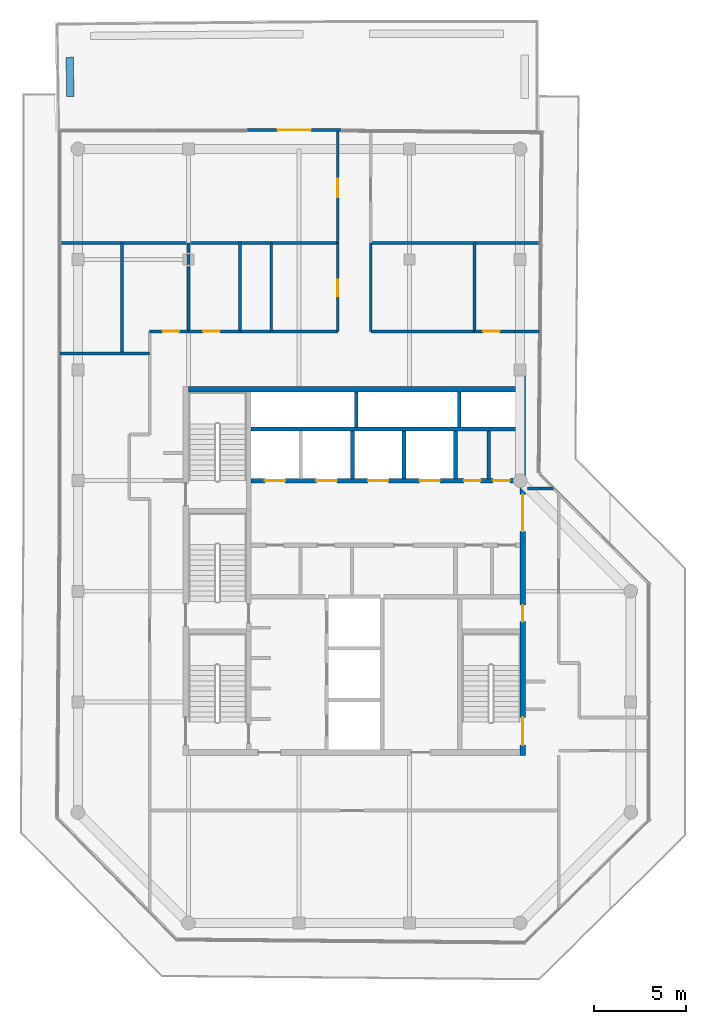
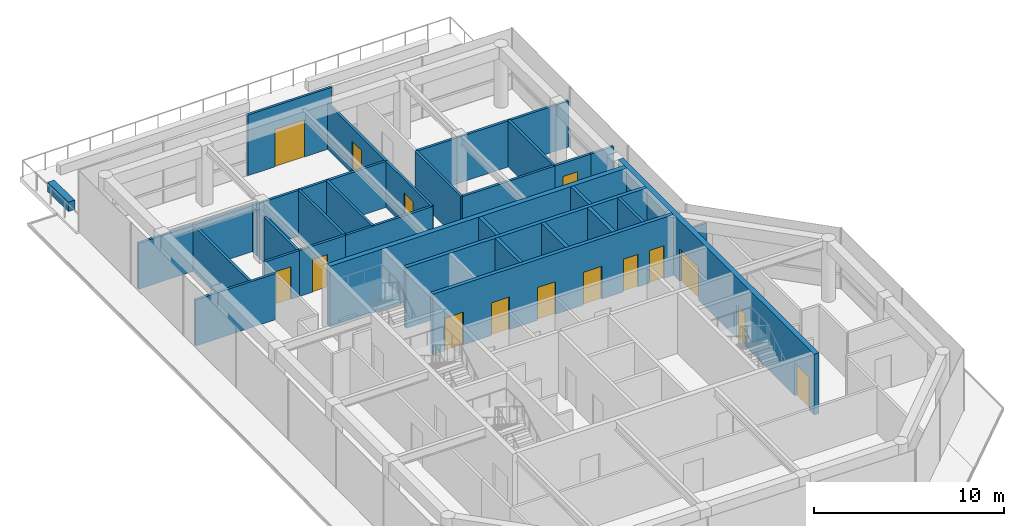
# One storey, part 14 of 17: 32 walls, 15 doors, 15 openings.
"""IFC4 building model written with IfcOpenShell, lengths in metres."""

from ifc_helpers import new_model, si_unit, direction, frame, frame_2d, origin, place, context, subcontext, project, spatial, rectangle, extrude, material, layer, layer_set, type_object, element, fill, save


model = new_model("IFC4")

# Units and contexts
model_context = context("Model", 3, precision=1e-05, world=origin(), true_north=direction((0.0, 1.0)))
body_context = subcontext(model_context, "Body", "Model", "MODEL_VIEW")
ifc_project = project(units=[si_unit("LENGTHUNIT", "METRE"), si_unit("AREAUNIT", "SQUARE_METRE"), si_unit("VOLUMEUNIT", "CUBIC_METRE"), si_unit("PLANEANGLEUNIT", "RADIAN"), si_unit("MASSUNIT", "GRAM", prefix="KILO")], contexts=[model_context])

# Site, building, storey
site_placement = place(None, origin())
site = spatial("IfcSite", under=ifc_project, at=site_placement, CompositionType="ELEMENT")
building_placement = place(site_placement, origin())
building = spatial("IfcBuilding", under=site, at=building_placement, Name="Welwitschia Terrace Campus", CompositionType="ELEMENT")
storey_placement = place(building_placement, frame((0.0, 0.0, 335.60009765625)))
storey = spatial("IfcBuildingStorey", under=building, at=storey_placement, Name="L75", CompositionType="ELEMENT", Elevation=335.60009765625)

# Wall, opening, door
ifc_material_1 = material(Name="Concrete C40/50", Category="concrete")
ifc_layer_1 = layer(ifc_material_1, 0.139892578125)
ifc_layer_set_1 = layer_set([ifc_layer_1], Name="Concrete C40/50")
wall_type_1 = type_object("IfcWallType", Name="Clad wall 140", PredefinedType="SOLIDWALL", material=ifc_layer_set_1)
wall_1_placement = place(storey_placement, frame((14.296875, 39.030029296875, 0.0), z_axis=(0.0, 0.0, 1.0), x_axis=(-1.0, 0.0, 0.0)))
wall_1 = element("IfcWall", 1, at=wall_1_placement, inside=storey, type_object=wall_type_1, Name="Clad wall L75.terrace door 0", PredefinedType="SOLIDWALL", context=body_context, shape_type="SweptSolid", body=[
    extrude(rectangle(XDim=5.109130859375, YDim=0.139892578125, at=frame_2d((2.5546875, 0.0))), origin(), (0.0, 0.0, 1.0), 3.89990234375),
])
opening_1_placement = place(wall_1_placement, frame((1.654541015625, 0.0, 0.0)))
opening_1 = element("IfcOpeningElement", 2, at=opening_1_placement, cuts=wall_1, Name="Opening DE3", PredefinedType="OPENING", context=body_context, shape_type="SweptSolid", body=[
    extrude(rectangle(XDim=1.800048828125, YDim=2.39990234375, at=frame_2d((0.89990234375, 1.199951171875))), frame((0.0, 0.079833984375, 0.0), z_axis=(0.0, -1.0, 0.0), x_axis=(1.0, 0.0, 0.0)), (0.0, 0.0, 1.0), 0.159912109375),
])
ifc_material_2 = material(Name="Bronze anodised aluminium and glass", Category="aluminium")
door_type_1 = type_object("IfcDoorType", Name="Terrace door 1800x2400", OperationType="DOUBLE_DOOR_DOUBLE_SWING", PredefinedType="DOOR", material=ifc_material_2)
door_1_placement = place(opening_1_placement, origin())
door_1 = element("IfcDoor", 3, at=door_1_placement, inside=storey, type_object=door_type_1, Name="Door L75:T0", OperationType="DOUBLE_DOOR_DOUBLE_SWING", OverallHeight=2.39990234375, OverallWidth=1.800048828125, PredefinedType="DOOR", context=body_context, shape_type="SweptSolid", body=[
    extrude(rectangle(XDim=1.800048828125, YDim=2.39990234375, at=frame_2d((0.89990234375, 1.199951171875))), frame((0.0, 0.02490234375, 0.0), z_axis=(0.0, -1.0, 0.0), x_axis=(1.0, 0.0, 0.0)), (0.0, 0.0, 1.0), 0.050048828125),
])
fill(opening_1, door_1)

# Wall
ifc_material_3 = material(Name="Concrete C32/40", Category="concrete")
ifc_layer_2 = layer(ifc_material_3, 0.175048828125)
ifc_layer_set_2 = layer_set([ifc_layer_2], Name="Concrete C32/40")
wall_type_2 = type_object("IfcWallType", Name="Core partition 175 Concrete C32/40", PredefinedType="PARTITIONING", material=ifc_layer_set_2)
wall_2_placement = place(storey_placement, frame((22.300048828125, 20.10009765625, 0.0), z_axis=(0.0, 0.0, 1.0), x_axis=(0.0, 1.0, 0.0)))
element("IfcWall", 4, at=wall_2_placement, inside=storey, type_object=wall_type_2, Name="Core partition", PredefinedType="PARTITIONING", context=body_context, shape_type="SweptSolid", body=[
    extrude(rectangle(XDim=2.599853515625, YDim=0.175048828125, at=frame_2d((1.2998046875, 0.0))), origin(), (0.0, 0.0, 1.0), 3.89990234375),
])

# Wall, openings, doors
ifc_material_4 = material(Name="Concrete C32/40", Category="concrete")
ifc_layer_3 = layer(ifc_material_4, 0.22509765625)
ifc_layer_set_3 = layer_set([ifc_layer_3], Name="Concrete C32/40")
wall_type_3 = type_object("IfcWallType", Name="Core partition 225 Concrete C32/40", PredefinedType="PARTITIONING", material=ifc_layer_set_3)
wall_3_placement = place(storey_placement, frame((24.0, 20.0, 0.0), z_axis=(0.0, 0.0, 1.0), x_axis=(-1.0, 0.0, 0.0)))
wall_3 = element("IfcWall", 5, at=wall_3_placement, inside=storey, type_object=wall_type_3, Name="Shaft wall", PredefinedType="PARTITIONING", context=body_context, shape_type="SweptSolid", body=[
    extrude(rectangle(XDim=14.60009765625, YDim=0.22509765625, at=frame_2d((7.300048828125, 0.0))), origin(), (0.0, 0.0, 1.0), 3.89990234375),
])
opening_2_placement = place(wall_3_placement, frame((12.75, 0.0, 0.0)))
opening_2 = element("IfcOpeningElement", 6, at=opening_2_placement, cuts=wall_3, Name="Opening LD", PredefinedType="OPENING", context=body_context, shape_type="SweptSolid", body=[
    extrude(rectangle(XDim=1.10009765625, YDim=2.10009765625, at=frame_2d((0.550048828125, 1.050048828125))), frame((0.0, 0.12255859375, 0.0), z_axis=(0.0, -1.0, 0.0), x_axis=(1.0, 0.0, 0.0)), (0.0, 0.0, 1.0), 0.2451171875),
])
opening_3_placement = place(wall_3_placement, frame((9.949951171875, 0.0, 0.0)))
opening_3 = element("IfcOpeningElement", 7, at=opening_3_placement, cuts=wall_3, Name="Opening LD", PredefinedType="OPENING", context=body_context, shape_type="SweptSolid", body=[
    extrude(rectangle(XDim=1.10009765625, YDim=2.10009765625, at=frame_2d((0.550048828125, 1.050048828125))), frame((0.0, 0.12255859375, 0.0), z_axis=(0.0, -1.0, 0.0), x_axis=(1.0, 0.0, 0.0)), (0.0, 0.0, 1.0), 0.2451171875),
])
opening_4_placement = place(wall_3_placement, frame((7.14990234375, 0.0, 0.0)))
opening_4 = element("IfcOpeningElement", 8, at=opening_4_placement, cuts=wall_3, Name="Opening LD", PredefinedType="OPENING", context=body_context, shape_type="SweptSolid", body=[
    extrude(rectangle(XDim=1.10009765625, YDim=2.10009765625, at=frame_2d((0.550048828125, 1.050048828125))), frame((0.0, 0.12255859375, 0.0), z_axis=(0.0, -1.0, 0.0), x_axis=(1.0, 0.0, 0.0)), (0.0, 0.0, 1.0), 0.2451171875),
])
opening_5_placement = place(wall_3_placement, frame((4.35009765625, 0.0, 0.0)))
opening_5 = element("IfcOpeningElement", 9, at=opening_5_placement, cuts=wall_3, Name="Opening LD", PredefinedType="OPENING", context=body_context, shape_type="SweptSolid", body=[
    extrude(rectangle(XDim=1.10009765625, YDim=2.10009765625, at=frame_2d((0.550048828125, 1.050048828125))), frame((0.0, 0.12255859375, 0.0), z_axis=(0.0, -1.0, 0.0), x_axis=(1.0, 0.0, 0.0)), (0.0, 0.0, 1.0), 0.2451171875),
])
opening_6_placement = place(wall_3_placement, frame((2.137451171875, 0.0, 0.0)))
opening_6 = element("IfcOpeningElement", 10, at=opening_6_placement, cuts=wall_3, Name="Opening DR09", PredefinedType="OPENING", context=body_context, shape_type="SweptSolid", body=[
    extrude(rectangle(XDim=0.89990234375, YDim=2.10009765625, at=frame_2d((0.449951171875, 1.050048828125))), frame((0.0, 0.12255859375, 0.0), z_axis=(0.0, -1.0, 0.0), x_axis=(1.0, 0.0, 0.0)), (0.0, 0.0, 1.0), 0.2451171875),
])
opening_7_placement = place(wall_3_placement, frame((0.56201171875, 0.0, 0.0)))
opening_7 = element("IfcOpeningElement", 11, at=opening_7_placement, cuts=wall_3, Name="Opening DR09", PredefinedType="OPENING", context=body_context, shape_type="SweptSolid", body=[
    extrude(rectangle(XDim=0.89990234375, YDim=2.10009765625, at=frame_2d((0.449951171875, 1.050048828125))), frame((0.0, 0.12255859375, 0.0), z_axis=(0.0, -1.0, 0.0), x_axis=(1.0, 0.0, 0.0)), (0.0, 0.0, 1.0), 0.2451171875),
])
ifc_material_5 = material(Name="Steel S275", Category="steel")
door_type_2 = type_object("IfcDoorType", Name="Core door DR09", OperationType="SINGLE_SWING_LEFT", PredefinedType="DOOR", material=ifc_material_5)
door_2_placement = place(opening_6_placement, origin())
door_2 = element("IfcDoor", 12, at=door_2_placement, inside=storey, type_object=door_type_2, Name="Door EH1-D", OperationType="SINGLE_SWING_LEFT", OverallHeight=2.10009765625, OverallWidth=0.89990234375, PredefinedType="DOOR", context=body_context, shape_type="SweptSolid", body=[
    extrude(rectangle(XDim=0.89990234375, YDim=2.10009765625, at=frame_2d((0.449951171875, 1.050048828125))), frame((0.0, 0.02490234375, 0.0), z_axis=(0.0, -1.0, 0.0), x_axis=(1.0, 0.0, 0.0)), (0.0, 0.0, 1.0), 0.050048828125),
])
fill(opening_6, door_2)
door_3_placement = place(opening_7_placement, origin())
door_3 = element("IfcDoor", 13, at=door_3_placement, inside=storey, type_object=door_type_2, Name="Door EH2-D", OperationType="SINGLE_SWING_LEFT", OverallHeight=2.10009765625, OverallWidth=0.89990234375, PredefinedType="DOOR", context=body_context, shape_type="SweptSolid", body=[
    extrude(rectangle(XDim=0.89990234375, YDim=2.10009765625, at=frame_2d((0.449951171875, 1.050048828125))), frame((0.0, 0.02490234375, 0.0), z_axis=(0.0, -1.0, 0.0), x_axis=(1.0, 0.0, 0.0)), (0.0, 0.0, 1.0), 0.050048828125),
])
fill(opening_7, door_3)
ifc_material_6 = material(Name="Stainless steel 304", Category="steel")
door_type_3 = type_object("IfcDoorType", Name="Lift landing door", OperationType="DOUBLE_DOOR_SLIDING", PredefinedType="DOOR", material=ifc_material_6)
door_4_placement = place(opening_2_placement, origin())
door_4 = element("IfcDoor", 14, at=door_4_placement, inside=storey, type_object=door_type_3, Name="Landing door HR1", OperationType="DOUBLE_DOOR_SLIDING", OverallHeight=2.10009765625, OverallWidth=1.10009765625, PredefinedType="DOOR", context=body_context, shape_type="SweptSolid", body=[
    extrude(rectangle(XDim=1.10009765625, YDim=2.10009765625, at=frame_2d((0.550048828125, 1.050048828125))), frame((0.0, 0.02490234375, 0.0), z_axis=(0.0, -1.0, 0.0), x_axis=(1.0, 0.0, 0.0)), (0.0, 0.0, 1.0), 0.050048828125),
])
fill(opening_2, door_4)
door_5_placement = place(opening_3_placement, origin())
door_5 = element("IfcDoor", 15, at=door_5_placement, inside=storey, type_object=door_type_3, Name="Landing door HR2", OperationType="DOUBLE_DOOR_SLIDING", OverallHeight=2.10009765625, OverallWidth=1.10009765625, PredefinedType="DOOR", context=body_context, shape_type="SweptSolid", body=[
    extrude(rectangle(XDim=1.10009765625, YDim=2.10009765625, at=frame_2d((0.550048828125, 1.050048828125))), frame((0.0, 0.02490234375, 0.0), z_axis=(0.0, -1.0, 0.0), x_axis=(1.0, 0.0, 0.0)), (0.0, 0.0, 1.0), 0.050048828125),
])
fill(opening_3, door_5)
door_6_placement = place(opening_4_placement, origin())
door_6 = element("IfcDoor", 16, at=door_6_placement, inside=storey, type_object=door_type_3, Name="Landing door HR3", OperationType="DOUBLE_DOOR_SLIDING", OverallHeight=2.10009765625, OverallWidth=1.10009765625, PredefinedType="DOOR", context=body_context, shape_type="SweptSolid", body=[
    extrude(rectangle(XDim=1.10009765625, YDim=2.10009765625, at=frame_2d((0.550048828125, 1.050048828125))), frame((0.0, 0.02490234375, 0.0), z_axis=(0.0, -1.0, 0.0), x_axis=(1.0, 0.0, 0.0)), (0.0, 0.0, 1.0), 0.050048828125),
])
fill(opening_4, door_6)
door_7_placement = place(opening_5_placement, origin())
door_7 = element("IfcDoor", 17, at=door_7_placement, inside=storey, type_object=door_type_3, Name="Landing door HR4", OperationType="DOUBLE_DOOR_SLIDING", OverallHeight=2.10009765625, OverallWidth=1.10009765625, PredefinedType="DOOR", context=body_context, shape_type="SweptSolid", body=[
    extrude(rectangle(XDim=1.10009765625, YDim=2.10009765625, at=frame_2d((0.550048828125, 1.050048828125))), frame((0.0, 0.02490234375, 0.0), z_axis=(0.0, -1.0, 0.0), x_axis=(1.0, 0.0, 0.0)), (0.0, 0.0, 1.0), 0.050048828125),
])
fill(opening_5, door_7)

# Walls
wall_4_placement = place(storey_placement, frame((9.39990234375, 22.800048828125, 0.0), z_axis=(0.0, 0.0, 1.0), x_axis=(1.0, 0.0, 0.0)))
element("IfcWall", 18, at=wall_4_placement, inside=storey, type_object=wall_type_3, Name="Shaft wall", PredefinedType="PARTITIONING", context=body_context, shape_type="SweptSolid", body=[
    extrude(rectangle(XDim=14.60009765625, YDim=0.22509765625, at=frame_2d((7.300048828125, 0.0))), origin(), (0.0, 0.0, 1.0), 3.89990234375),
])
wall_5_placement = place(storey_placement, frame((20.5, 20.10009765625, 0.0), z_axis=(0.0, 0.0, 1.0), x_axis=(0.0, 1.0, 0.0)))
element("IfcWall", 19, at=wall_5_placement, inside=storey, type_object=wall_type_3, Name="Shaft wall", PredefinedType="PARTITIONING", context=body_context, shape_type="SweptSolid", body=[
    extrude(rectangle(XDim=2.599853515625, YDim=0.22509765625, at=frame_2d((1.2998046875, 0.0))), origin(), (0.0, 0.0, 1.0), 3.89990234375),
])
ifc_material_7 = material(Name="Concrete C50/60", Category="concrete")
ifc_layer_4 = layer(ifc_material_7, 0.199951171875)
ifc_layer_set_4 = layer_set([ifc_layer_4], Name="Concrete C50/60")
wall_type_4 = type_object("IfcWallType", Name="Core wall 200 Concrete C50/60", PredefinedType="SHEAR", material=ifc_layer_set_4)
for number, where, z_axis, x_axis, name in (
    (20, (15.10009765625, 22.89990234375, 0.0), (0.0, 0.0, 1.0), (0.0, 1.0, 0.0), "Core wall"),
    (21, (20.699951171875, 22.89990234375, 0.0), (0.0, 0.0, 1.0), (0.0, 1.0, 0.0), "Core wall"),
):
    element("IfcWall", number, at=place(storey_placement, frame(where, z_axis=z_axis, x_axis=x_axis)), inside=storey, type_object=wall_type_4, Name=name, PredefinedType="SHEAR", context=body_context, shape_type="SweptSolid", body=[
        extrude(rectangle(XDim=1.900146484375, YDim=0.199951171875, at=frame_2d((0.9501953125, 0.0))), origin(), (0.0, 0.0, 1.0), 3.89990234375),
    ])

# Wall, openings, doors
ifc_material_8 = material(Name="Concrete C50/60", Category="concrete")
ifc_layer_5 = layer(ifc_material_8, 0.300048828125)
ifc_layer_set_5 = layer_set([ifc_layer_5], Name="Concrete C50/60")
wall_type_5 = type_object("IfcWallType", Name="Core wall 300 Concrete C50/60", PredefinedType="SHEAR", material=ifc_layer_set_5)
wall_6_placement = place(storey_placement, frame((24.14990234375, 25.705078125, 0.0), z_axis=(0.0, 0.0, 1.0), x_axis=(0.0, -1.0, 0.0)))
wall_6 = element("IfcWall", 22, at=wall_6_placement, inside=storey, type_object=wall_type_5, Name="Core outer wall", PredefinedType="SHEAR", context=body_context, shape_type="SweptSolid", body=[
    extrude(rectangle(XDim=20.60498046875, YDim=0.300048828125, at=frame_2d((10.302490234375, 0.0))), origin(), (0.0, 0.0, 1.0), 3.89990234375),
])
opening_8_placement = place(wall_6_placement, frame((18.554931640625, 0.0, 0.0)))
opening_8 = element("IfcOpeningElement", 23, at=opening_8_placement, cuts=wall_6, Name="Opening DS15", PredefinedType="OPENING", context=body_context, shape_type="SweptSolid", body=[
    extrude(rectangle(XDim=1.5, YDim=2.10009765625, at=frame_2d((0.75, 1.050048828125))), frame((0.0, 0.159912109375, 0.0), z_axis=(0.0, -1.0, 0.0), x_axis=(1.0, 0.0, 0.0)), (0.0, 0.0, 1.0), 0.320068359375),
])
opening_9_placement = place(wall_6_placement, frame((12.455078125, 0.0, 0.0)))
opening_9 = element("IfcOpeningElement", 24, at=opening_9_placement, cuts=wall_6, Name="Opening DR09", PredefinedType="OPENING", context=body_context, shape_type="SweptSolid", body=[
    extrude(rectangle(XDim=0.89990234375, YDim=2.10009765625, at=frame_2d((0.449951171875, 1.050048828125))), frame((0.0, 0.159912109375, 0.0), z_axis=(0.0, -1.0, 0.0), x_axis=(1.0, 0.0, 0.0)), (0.0, 0.0, 1.0), 0.320068359375),
])
opening_10_placement = place(wall_6_placement, frame((6.455078125, 0.0, 0.0)))
opening_10 = element("IfcOpeningElement", 25, at=opening_10_placement, cuts=wall_6, Name="Opening DL20", PredefinedType="OPENING", context=body_context, shape_type="SweptSolid", body=[
    extrude(rectangle(XDim=2.0, YDim=2.10009765625, at=frame_2d((1.0, 1.050048828125))), frame((0.0, 0.159912109375, 0.0), z_axis=(0.0, -1.0, 0.0), x_axis=(1.0, 0.0, 0.0)), (0.0, 0.0, 1.0), 0.320068359375),
])
ifc_material_9 = material(Name="Steel S275", Category="steel")
door_type_4 = type_object("IfcDoorType", Name="Core door DL20", OperationType="DOUBLE_DOOR_SINGLE_SWING", PredefinedType="DOOR", material=ifc_material_9)
door_8_placement = place(opening_10_placement, origin())
door_8 = element("IfcDoor", 26, at=door_8_placement, inside=storey, type_object=door_type_4, Name="Door LOBBY-out", OperationType="DOUBLE_DOOR_SINGLE_SWING", OverallHeight=2.10009765625, OverallWidth=2.0, PredefinedType="DOOR", context=body_context, shape_type="SweptSolid", body=[
    extrude(rectangle(XDim=2.0, YDim=2.10009765625, at=frame_2d((1.0, 1.050048828125))), frame((0.0, 0.02490234375, 0.0), z_axis=(0.0, -1.0, 0.0), x_axis=(1.0, 0.0, 0.0)), (0.0, 0.0, 1.0), 0.050048828125),
])
fill(opening_10, door_8)
door_9_placement = place(opening_9_placement, origin())
door_9 = element("IfcDoor", 27, at=door_9_placement, inside=storey, type_object=door_type_2, Name="Door F1B-out", OperationType="SINGLE_SWING_RIGHT", OverallHeight=2.10009765625, OverallWidth=0.89990234375, PredefinedType="DOOR", context=body_context, shape_type="SweptSolid", body=[
    extrude(rectangle(XDim=0.89990234375, YDim=2.10009765625, at=frame_2d((0.449951171875, 1.050048828125))), frame((0.0, 0.02490234375, 0.0), z_axis=(0.0, -1.0, 0.0), x_axis=(1.0, 0.0, 0.0)), (0.0, 0.0, 1.0), 0.050048828125),
])
fill(opening_9, door_9)
ifc_material_10 = material(Name="Steel S275", Category="steel")
door_type_5 = type_object("IfcDoorType", Name="Core door DS15", OperationType="DOUBLE_DOOR_SINGLE_SWING", PredefinedType="DOOR", material=ifc_material_10)
door_10_placement = place(opening_8_placement, origin())
door_10 = element("IfcDoor", 28, at=door_10_placement, inside=storey, type_object=door_type_5, Name="Door S2-out", OperationType="DOUBLE_DOOR_SINGLE_SWING", OverallHeight=2.10009765625, OverallWidth=1.5, PredefinedType="DOOR", context=body_context, shape_type="SweptSolid", body=[
    extrude(rectangle(XDim=1.5, YDim=2.10009765625, at=frame_2d((0.75, 1.050048828125))), frame((0.0, 0.02490234375, 0.0), z_axis=(0.0, -1.0, 0.0), x_axis=(1.0, 0.0, 0.0)), (0.0, 0.0, 1.0), 0.050048828125),
])
fill(opening_8, door_10)

# Walls
wall_7_placement = place(storey_placement, frame((6.0, 24.949951171875, 0.0), z_axis=(0.0, 0.0, 1.0), x_axis=(1.0, 0.0, 0.0)))
element("IfcWall", 29, at=wall_7_placement, inside=storey, type_object=wall_type_5, Name="Core outer wall", PredefinedType="SHEAR", context=body_context, shape_type="SweptSolid", body=[
    extrude(rectangle(XDim=18.0, YDim=0.300048828125, at=frame_2d((9.0, 0.0))), origin(), (0.0, 0.0, 1.0), 3.89990234375),
])
ifc_material_11 = material(Name="Gypsum board on steel studs", Category="steel")
ifc_layer_6 = layer(ifc_material_11, 0.14990234375)
ifc_layer_set_6 = layer_set([ifc_layer_6], Name="Gypsum board on steel studs")
wall_type_6 = type_object("IfcWallType", Name="Corridor partition 150 EI 30", PredefinedType="PARTITIONING", material=ifc_layer_set_6)
wall_8_placement = place(storey_placement, frame((-0.97998046875, 26.89990234375, 0.0), z_axis=(0.0, 0.0, 1.0), x_axis=(1.0, 0.0, 0.0)))
element("IfcWall", 30, at=wall_8_placement, inside=storey, type_object=wall_type_6, Name="Partition", PredefinedType="PARTITIONING", context=body_context, shape_type="SweptSolid", body=[
    extrude(rectangle(XDim=4.8798828125, YDim=0.14990234375, at=frame_2d((2.43994140625, 0.0))), origin(), (0.0, 0.0, 1.0), 2.949951171875),
])
wall_9_placement = place(storey_placement, frame((-0.97998046875, 32.89990234375, 0.0), z_axis=(0.0, 0.0, 1.0), x_axis=(1.0, 0.0, 0.0)))
element("IfcWall", 31, at=wall_9_placement, inside=storey, type_object=wall_type_6, Name="Partition", PredefinedType="PARTITIONING", context=body_context, shape_type="SweptSolid", body=[
    extrude(rectangle(XDim=15.080078125, YDim=0.14990234375, at=frame_2d((7.5400390625, 0.0))), origin(), (0.0, 0.0, 1.0), 2.949951171875),
])
wall_10_placement = place(storey_placement, frame((2.39990234375, 26.89990234375, 0.0), z_axis=(0.0, 0.0, 1.0), x_axis=(0.0, 1.0, 0.0)))
element("IfcWall", 32, at=wall_10_placement, inside=storey, type_object=wall_type_6, Name="Partition", PredefinedType="PARTITIONING", context=body_context, shape_type="SweptSolid", body=[
    extrude(rectangle(XDim=6.0, YDim=0.14990234375, at=frame_2d((3.0, 0.0))), origin(), (0.0, 0.0, 1.0), 2.949951171875),
])

# Wall, opening, door
wall_11_placement = place(storey_placement, frame((3.89990234375, 28.10009765625, 0.0), z_axis=(0.0, 0.0, 1.0), x_axis=(1.0, 0.0, 0.0)))
wall_11 = element("IfcWall", 33, at=wall_11_placement, inside=storey, type_object=wall_type_6, Name="Partition", PredefinedType="PARTITIONING", context=body_context, shape_type="SweptSolid", body=[
    extrude(rectangle(XDim=2.10009765625, YDim=0.14990234375, at=frame_2d((1.050048828125, 0.0))), origin(), (0.0, 0.0, 1.0), 2.949951171875),
])
opening_11_placement = place(wall_11_placement, frame((0.699951171875, 0.0, 0.0)))
opening_11 = element("IfcOpeningElement", 34, at=opening_11_placement, cuts=wall_11, Name="Opening DI09", PredefinedType="OPENING", context=body_context, shape_type="SweptSolid", body=[
    extrude(rectangle(XDim=0.89990234375, YDim=2.10009765625, at=frame_2d((0.449951171875, 1.050048828125))), frame((0.0, 0.0849609375, 0.0), z_axis=(0.0, -1.0, 0.0), x_axis=(1.0, 0.0, 0.0)), (0.0, 0.0, 1.0), 0.169921875),
])
ifc_material_12 = material(Name="Timber veneered door", Category="wood")
door_type_6 = type_object("IfcDoorType", Name="Interior door DI09", OperationType="NOTDEFINED", PredefinedType="DOOR", material=ifc_material_12)
door_11_placement = place(opening_11_placement, origin())
door_11 = element("IfcDoor", 35, at=door_11_placement, inside=storey, type_object=door_type_6, Name="Door L75 1291", OperationType="SINGLE_SWING_RIGHT", OverallHeight=2.10009765625, OverallWidth=0.89990234375, PredefinedType="DOOR", context=body_context, shape_type="SweptSolid", body=[
    extrude(rectangle(XDim=0.89990234375, YDim=2.10009765625, at=frame_2d((0.449951171875, 1.050048828125))), frame((0.0, 0.02490234375, 0.0), z_axis=(0.0, -1.0, 0.0), x_axis=(1.0, 0.0, 0.0)), (0.0, 0.0, 1.0), 0.050048828125),
])
fill(opening_11, door_11)

# Wall
wall_12_placement = place(storey_placement, frame((6.0, 28.10009765625, 0.0), z_axis=(0.0, 0.0, 1.0), x_axis=(0.0, 1.0, 0.0)))
element("IfcWall", 36, at=wall_12_placement, inside=storey, type_object=wall_type_6, Name="Partition", PredefinedType="PARTITIONING", context=body_context, shape_type="SweptSolid", body=[
    extrude(rectangle(XDim=3.52978515625, YDim=0.14990234375, at=frame_2d((1.764892578125, 0.0))), origin(), (0.0, 0.0, 1.0), 2.949951171875),
])

# Wall, opening, door
wall_13_placement = place(storey_placement, frame((6.0, 28.10009765625, 0.0), z_axis=(0.0, 0.0, 1.0), x_axis=(1.0, 0.0, 0.0)))
wall_13 = element("IfcWall", 37, at=wall_13_placement, inside=storey, type_object=wall_type_6, Name="Partition", PredefinedType="PARTITIONING", context=body_context, shape_type="SweptSolid", body=[
    extrude(rectangle(XDim=2.800048828125, YDim=0.14990234375, at=frame_2d((1.39990234375, 0.0))), origin(), (0.0, 0.0, 1.0), 2.949951171875),
])
opening_12_placement = place(wall_13_placement, frame((0.800048828125, 0.0, 0.0)))
opening_12 = element("IfcOpeningElement", 38, at=opening_12_placement, cuts=wall_13, Name="Opening DI09", PredefinedType="OPENING", context=body_context, shape_type="SweptSolid", body=[
    extrude(rectangle(XDim=0.89990234375, YDim=2.10009765625, at=frame_2d((0.449951171875, 1.050048828125))), frame((0.0, 0.0849609375, 0.0), z_axis=(0.0, -1.0, 0.0), x_axis=(1.0, 0.0, 0.0)), (0.0, 0.0, 1.0), 0.169921875),
])
door_12_placement = place(opening_12_placement, origin())
door_12 = element("IfcDoor", 39, at=door_12_placement, inside=storey, type_object=door_type_6, Name="Door L75 1292", OperationType="SINGLE_SWING_LEFT", OverallHeight=2.10009765625, OverallWidth=0.89990234375, PredefinedType="DOOR", context=body_context, shape_type="SweptSolid", body=[
    extrude(rectangle(XDim=0.89990234375, YDim=2.10009765625, at=frame_2d((0.449951171875, 1.050048828125))), frame((0.0, 0.02490234375, 0.0), z_axis=(0.0, -1.0, 0.0), x_axis=(1.0, 0.0, 0.0)), (0.0, 0.0, 1.0), 0.050048828125),
])
fill(opening_12, door_12)

# Walls
wall_14_placement = place(storey_placement, frame((6.0, 31.735595703125, 0.0), z_axis=(0.0, 0.0, 1.0), x_axis=(0.0, 1.0, 0.0)))
element("IfcWall", 40, at=wall_14_placement, inside=storey, type_object=wall_type_6, Name="Partition", PredefinedType="PARTITIONING", context=body_context, shape_type="SweptSolid", body=[
    extrude(rectangle(XDim=0.52880859375, YDim=0.14990234375, at=frame_2d((0.264404296875, 0.0))), origin(), (0.0, 0.0, 1.0), 2.949951171875),
])
wall_15_placement = place(storey_placement, frame((6.0, 32.3701171875, 0.0), z_axis=(0.0, 0.0, 1.0), x_axis=(0.0, 1.0, 0.0)))
element("IfcWall", 41, at=wall_15_placement, inside=storey, type_object=wall_type_6, Name="Partition", PredefinedType="PARTITIONING", context=body_context, shape_type="SweptSolid", body=[
    extrude(rectangle(XDim=0.52978515625, YDim=0.14990234375, at=frame_2d((0.264892578125, 0.0))), origin(), (0.0, 0.0, 1.0), 2.949951171875),
])
wall_16_placement = place(storey_placement, frame((8.800048828125, 28.10009765625, 0.0), z_axis=(0.0, 0.0, 1.0), x_axis=(0.0, 1.0, 0.0)))
element("IfcWall", 42, at=wall_16_placement, inside=storey, type_object=wall_type_6, Name="Partition", PredefinedType="PARTITIONING", context=body_context, shape_type="SweptSolid", body=[
    extrude(rectangle(XDim=4.7998046875, YDim=0.14990234375, at=frame_2d((2.39990234375, 0.0))), origin(), (0.0, 0.0, 1.0), 2.949951171875),
])
wall_17_placement = place(storey_placement, frame((8.800048828125, 28.10009765625, 0.0), z_axis=(0.0, 0.0, 1.0), x_axis=(1.0, 0.0, 0.0)))
element("IfcWall", 43, at=wall_17_placement, inside=storey, type_object=wall_type_6, Name="Partition", PredefinedType="PARTITIONING", context=body_context, shape_type="SweptSolid", body=[
    extrude(rectangle(XDim=5.300048828125, YDim=0.14990234375, at=frame_2d((2.64990234375, 0.0))), origin(), (0.0, 0.0, 1.0), 2.949951171875),
])
wall_18_placement = place(storey_placement, frame((10.5, 28.10009765625, 0.0), z_axis=(0.0, 0.0, 1.0), x_axis=(0.0, 1.0, 0.0)))
element("IfcWall", 44, at=wall_18_placement, inside=storey, type_object=wall_type_6, Name="Partition", PredefinedType="PARTITIONING", context=body_context, shape_type="SweptSolid", body=[
    extrude(rectangle(XDim=4.7998046875, YDim=0.14990234375, at=frame_2d((2.39990234375, 0.0))), origin(), (0.0, 0.0, 1.0), 2.949951171875),
])

# Wall, opening, door
wall_19_placement = place(storey_placement, frame((14.10009765625, 28.10009765625, 0.0), z_axis=(0.0, 0.0, 1.0), x_axis=(0.0, 1.0, 0.0)))
wall_19 = element("IfcWall", 45, at=wall_19_placement, inside=storey, type_object=wall_type_6, Name="Partition", PredefinedType="PARTITIONING", context=body_context, shape_type="SweptSolid", body=[
    extrude(rectangle(XDim=4.7998046875, YDim=0.14990234375, at=frame_2d((2.39990234375, 0.0))), origin(), (0.0, 0.0, 1.0), 2.949951171875),
])
opening_13_placement = place(wall_19_placement, frame((1.89990234375, 0.0, 0.0)))
opening_13 = element("IfcOpeningElement", 46, at=opening_13_placement, cuts=wall_19, Name="Opening DI09", PredefinedType="OPENING", context=body_context, shape_type="SweptSolid", body=[
    extrude(rectangle(XDim=0.89990234375, YDim=2.10009765625, at=frame_2d((0.449951171875, 1.050048828125))), frame((0.0, 0.0849609375, 0.0), z_axis=(0.0, -1.0, 0.0), x_axis=(1.0, 0.0, 0.0)), (0.0, 0.0, 1.0), 0.169921875),
])
door_13_placement = place(opening_13_placement, origin())
door_13 = element("IfcDoor", 47, at=door_13_placement, inside=storey, type_object=door_type_6, Name="Door L75 1293", OperationType="SINGLE_SWING_RIGHT", OverallHeight=2.10009765625, OverallWidth=0.89990234375, PredefinedType="DOOR", context=body_context, shape_type="SweptSolid", body=[
    extrude(rectangle(XDim=0.89990234375, YDim=2.10009765625, at=frame_2d((0.449951171875, 1.050048828125))), frame((0.0, 0.02490234375, 0.0), z_axis=(0.0, -1.0, 0.0), x_axis=(1.0, 0.0, 0.0)), (0.0, 0.0, 1.0), 0.050048828125),
])
fill(opening_13, door_13)

wall_20_placement = place(storey_placement, frame((14.10009765625, 32.89990234375, 0.0), z_axis=(0.0, 0.0, 1.0), x_axis=(0.0, 1.0, 0.0)))
wall_20 = element("IfcWall", 48, at=wall_20_placement, inside=storey, type_object=wall_type_6, Name="Partition", PredefinedType="PARTITIONING", context=body_context, shape_type="SweptSolid", body=[
    extrude(rectangle(XDim=6.080078125, YDim=0.14990234375, at=frame_2d((3.0400390625, 0.0))), origin(), (0.0, 0.0, 1.0), 2.949951171875),
])
opening_14_placement = place(wall_20_placement, frame((2.47998046875, 0.0, 0.0)))
opening_14 = element("IfcOpeningElement", 49, at=opening_14_placement, cuts=wall_20, Name="Opening DI10", PredefinedType="OPENING", context=body_context, shape_type="SweptSolid", body=[
    extrude(rectangle(XDim=1.0, YDim=2.10009765625, at=frame_2d((0.5, 1.050048828125))), frame((0.0, 0.0849609375, 0.0), z_axis=(0.0, -1.0, 0.0), x_axis=(1.0, 0.0, 0.0)), (0.0, 0.0, 1.0), 0.169921875),
])
ifc_material_13 = material(Name="Timber veneered door", Category="wood")
door_type_7 = type_object("IfcDoorType", Name="Interior door DI10", OperationType="NOTDEFINED", PredefinedType="DOOR", material=ifc_material_13)
door_14_placement = place(opening_14_placement, origin())
door_14 = element("IfcDoor", 50, at=door_14_placement, inside=storey, type_object=door_type_7, Name="Door L75 1294", OperationType="SINGLE_SWING_LEFT", OverallHeight=2.10009765625, OverallWidth=1.0, PredefinedType="DOOR", context=body_context, shape_type="SweptSolid", body=[
    extrude(rectangle(XDim=1.0, YDim=2.10009765625, at=frame_2d((0.5, 1.050048828125))), frame((0.0, 0.02490234375, 0.0), z_axis=(0.0, -1.0, 0.0), x_axis=(1.0, 0.0, 0.0)), (0.0, 0.0, 1.0), 0.050048828125),
])
fill(opening_14, door_14)

# Walls
wall_21_placement = place(storey_placement, frame((15.89990234375, 28.10009765625, 0.0), z_axis=(0.0, 0.0, 1.0), x_axis=(0.0, 1.0, 0.0)))
element("IfcWall", 51, at=wall_21_placement, inside=storey, type_object=wall_type_6, Name="Partition", PredefinedType="PARTITIONING", context=body_context, shape_type="SweptSolid", body=[
    extrude(rectangle(XDim=4.7998046875, YDim=0.14990234375, at=frame_2d((2.39990234375, 0.0))), origin(), (0.0, 0.0, 1.0), 2.949951171875),
])
wall_22_placement = place(storey_placement, frame((15.89990234375, 28.10009765625, 0.0), z_axis=(0.0, 0.0, 1.0), x_axis=(1.0, 0.0, 0.0)))
element("IfcWall", 52, at=wall_22_placement, inside=storey, type_object=wall_type_6, Name="Partition", PredefinedType="PARTITIONING", context=body_context, shape_type="SweptSolid", body=[
    extrude(rectangle(XDim=5.6201171875, YDim=0.14990234375, at=frame_2d((2.81005859375, 0.0))), origin(), (0.0, 0.0, 1.0), 2.949951171875),
])
wall_23_placement = place(storey_placement, frame((15.89990234375, 32.89990234375, 0.0), z_axis=(0.0, 0.0, 1.0), x_axis=(1.0, 0.0, 0.0)))
element("IfcWall", 53, at=wall_23_placement, inside=storey, type_object=wall_type_6, Name="Partition", PredefinedType="PARTITIONING", context=body_context, shape_type="SweptSolid", body=[
    extrude(rectangle(XDim=9.22021484375, YDim=0.14990234375, at=frame_2d((4.610107421875, 0.0))), origin(), (0.0, 0.0, 1.0), 2.949951171875),
])
wall_24_placement = place(storey_placement, frame((21.52001953125, 28.10009765625, 0.0), z_axis=(0.0, 0.0, 1.0), x_axis=(0.0, 1.0, 0.0)))
element("IfcWall", 54, at=wall_24_placement, inside=storey, type_object=wall_type_6, Name="Partition", PredefinedType="PARTITIONING", context=body_context, shape_type="SweptSolid", body=[
    extrude(rectangle(XDim=4.7998046875, YDim=0.14990234375, at=frame_2d((2.39990234375, 0.0))), origin(), (0.0, 0.0, 1.0), 2.949951171875),
])

# Wall, opening, door
wall_25_placement = place(storey_placement, frame((21.52001953125, 28.10009765625, 0.0), z_axis=(0.0, 0.0, 1.0), x_axis=(1.0, 0.0, 0.0)))
wall_25 = element("IfcWall", 55, at=wall_25_placement, inside=storey, type_object=wall_type_6, Name="Partition", PredefinedType="PARTITIONING", context=body_context, shape_type="SweptSolid", body=[
    extrude(rectangle(XDim=2.169921875, YDim=0.14990234375, at=frame_2d((1.0849609375, 0.0))), origin(), (0.0, 0.0, 1.0), 2.949951171875),
])
opening_15_placement = place(wall_25_placement, frame((0.469970703125, 0.0, 0.0)))
opening_15 = element("IfcOpeningElement", 56, at=opening_15_placement, cuts=wall_25, Name="Opening DI09", PredefinedType="OPENING", context=body_context, shape_type="SweptSolid", body=[
    extrude(rectangle(XDim=0.89990234375, YDim=2.10009765625, at=frame_2d((0.449951171875, 1.050048828125))), frame((0.0, 0.0849609375, 0.0), z_axis=(0.0, -1.0, 0.0), x_axis=(1.0, 0.0, 0.0)), (0.0, 0.0, 1.0), 0.169921875),
])
door_15_placement = place(opening_15_placement, origin())
door_15 = element("IfcDoor", 57, at=door_15_placement, inside=storey, type_object=door_type_6, Name="Door L75 1296", OperationType="SINGLE_SWING_LEFT", OverallHeight=2.10009765625, OverallWidth=0.89990234375, PredefinedType="DOOR", context=body_context, shape_type="SweptSolid", body=[
    extrude(rectangle(XDim=0.89990234375, YDim=2.10009765625, at=frame_2d((0.449951171875, 1.050048828125))), frame((0.0, 0.02490234375, 0.0), z_axis=(0.0, -1.0, 0.0), x_axis=(1.0, 0.0, 0.0)), (0.0, 0.0, 1.0), 0.050048828125),
])
fill(opening_15, door_15)

# Walls
wall_26_placement = place(storey_placement, frame((23.68994140625, 28.10009765625, 0.0), z_axis=(0.0, 0.0, 1.0), x_axis=(1.0, 0.0, 0.0)))
element("IfcWall", 58, at=wall_26_placement, inside=storey, type_object=wall_type_6, Name="Partition", PredefinedType="PARTITIONING", context=body_context, shape_type="SweptSolid", body=[
    extrude(rectangle(XDim=1.39013671875, YDim=0.14990234375, at=frame_2d((0.695068359375, 0.0))), origin(), (0.0, 0.0, 1.0), 2.949951171875),
])
wall_27_placement = place(storey_placement, frame((24.39990234375, 19.580078125, 0.0), z_axis=(0.0, 0.0, 1.0), x_axis=(1.0, 0.0, 0.0)))
element("IfcWall", 59, at=wall_27_placement, inside=storey, type_object=wall_type_6, Name="Partition", PredefinedType="PARTITIONING", context=body_context, shape_type="SweptSolid", body=[
    extrude(rectangle(XDim=1.41015625, YDim=0.14990234375, at=frame_2d((0.705078125, 0.0))), origin(), (0.0, 0.0, 1.0), 2.949951171875),
])
ifc_material_14 = material(Name="Concrete C40/50", Category="concrete")
ifc_layer_7 = layer(ifc_material_14, 0.39990234375)
ifc_layer_set_7 = layer_set([ifc_layer_7], Name="Concrete C40/50")
wall_type_7 = type_object("IfcWallType", Name="Planter wall 400", PredefinedType="SOLIDWALL", material=ifc_layer_set_7)
wall_28_placement = place(storey_placement, frame((-0.407958984375, 40.83984375, 0.0), z_axis=(0.0, 0.0, 1.0), x_axis=(-0.015525015326, 0.999879479687, 0.0)))
element("IfcWall", 60, at=wall_28_placement, inside=storey, type_object=wall_type_7, Name="PLANTER", PredefinedType="SOLIDWALL", context=body_context, shape_type="SweptSolid", body=[
    extrude(rectangle(XDim=2.138671875, YDim=0.39990234375, at=frame_2d((1.0693359375, 0.0))), origin(), (0.0, 0.0, 1.0), 0.599853515625),
])
ifc_material_15 = material(Name="Concrete C32/40", Category="concrete")
ifc_layer_8 = layer(ifc_material_15, 0.199951171875)
ifc_layer_set_8 = layer_set([ifc_layer_8], Name="Concrete C32/40")
wall_type_8 = type_object("IfcWallType", Name="Shaft wall 200 Concrete C32/40", PredefinedType="SOLIDWALL", material=ifc_layer_set_8)
for number, where, z_axis, x_axis, name in (
    (61, (14.89990234375, 20.10009765625, 0.0), (0.0, 0.0, 1.0), (0.0, 1.0, 0.0), "Shaft wall"),
    (62, (17.699951171875, 20.10009765625, 0.0), (0.0, 0.0, 1.0), (0.0, 1.0, 0.0), "Shaft wall"),
):
    element("IfcWall", number, at=place(storey_placement, frame(where, z_axis=z_axis, x_axis=x_axis)), inside=storey, type_object=wall_type_8, Name=name, PredefinedType="SOLIDWALL", context=body_context, shape_type="SweptSolid", body=[
        extrude(rectangle(XDim=2.599853515625, YDim=0.199951171875, at=frame_2d((1.2998046875, 0.0))), origin(), (0.0, 0.0, 1.0), 3.89990234375),
    ])

save(model, "model.ifc")
